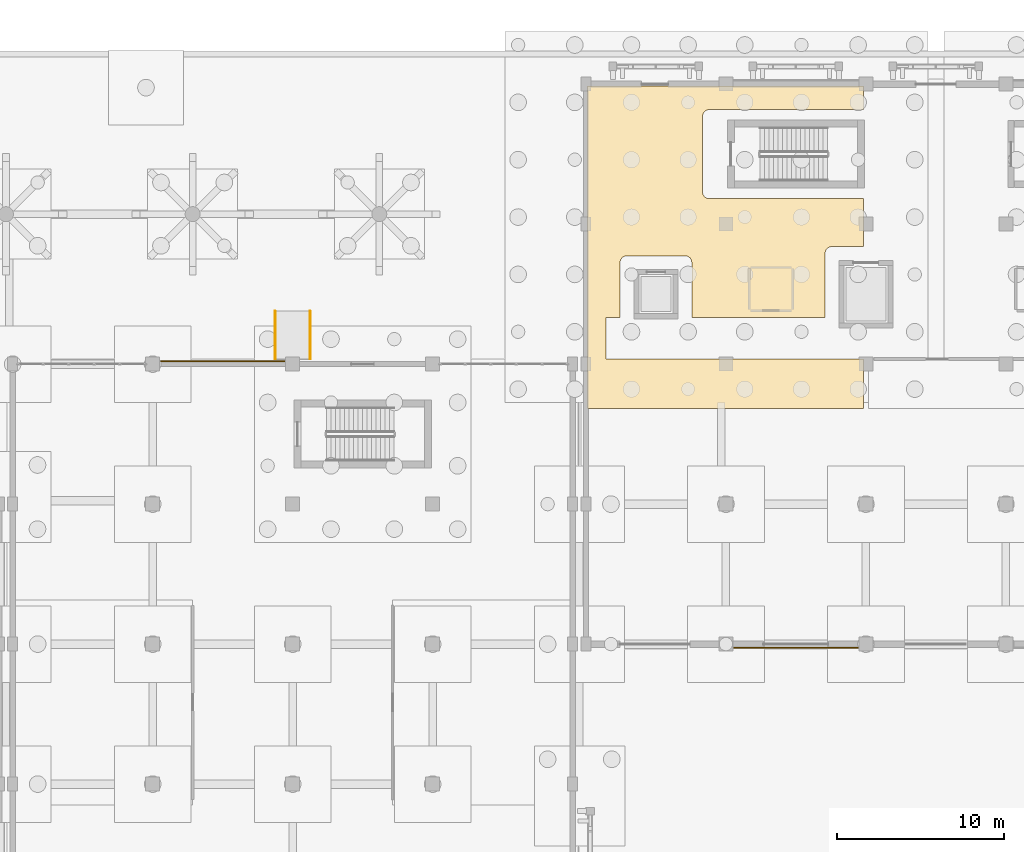
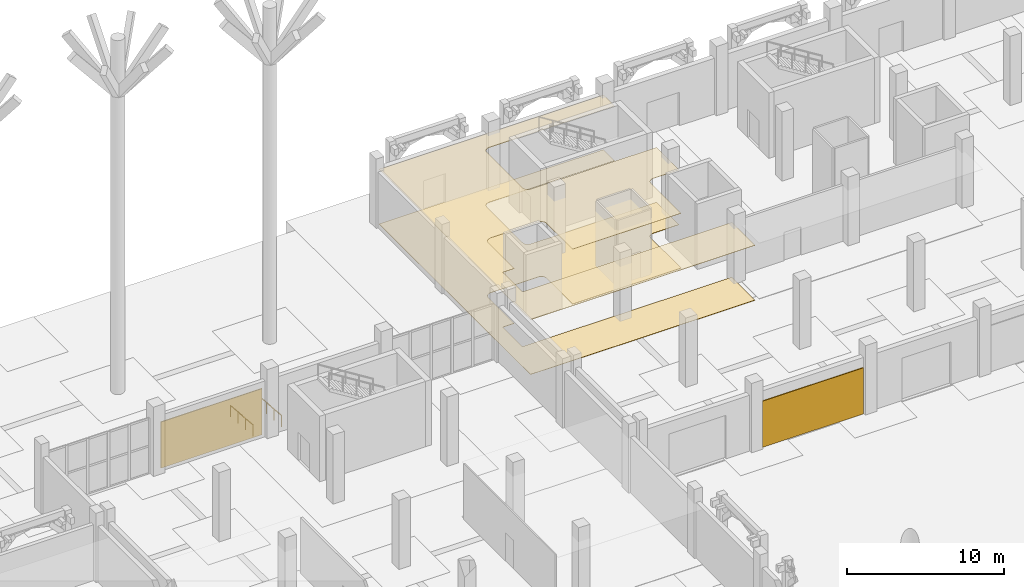
# One storey, part 93 of 98: 4 coverings, 2 railings.
"""IFC4 building model written with IfcOpenShell, lengths in metres."""

from ifc_helpers import new_model, si_unit, direction, frame, origin, origin_2d, place, context, subcontext, project, spatial, polyline, rectangle, circle, outline, extrude, material, layer, layer_set, type_object, element, save


model = new_model("IFC4")

# Units and contexts
model_context = context("Model", 3, precision=1e-05, world=origin(), true_north=direction((0.0, 1.0)))
body_context = subcontext(model_context, "Body", "Model", "MODEL_VIEW")
ifc_project = project(units=[si_unit("LENGTHUNIT", "METRE"), si_unit("AREAUNIT", "SQUARE_METRE"), si_unit("VOLUMEUNIT", "CUBIC_METRE"), si_unit("PLANEANGLEUNIT", "RADIAN"), si_unit("MASSUNIT", "GRAM", prefix="KILO")], contexts=[model_context])

# Site, building, storey
site_placement = place(None, origin())
site = spatial("IfcSite", under=ifc_project, at=site_placement, CompositionType="ELEMENT")
building_placement = place(site_placement, origin())
building = spatial("IfcBuilding", under=site, at=building_placement, Name="Xazarin Passage Department Store", CompositionType="ELEMENT")
storey_placement = place(building_placement, origin())
storey = spatial("IfcBuildingStorey", under=building, at=storey_placement, Name="L00", CompositionType="ELEMENT", Elevation=0.0)

# Coverings
ifc_material_1 = material(Name="Absheron limestone cladding", Category="masonry")
ifc_layer_1 = layer(ifc_material_1, 0.06005859375)
ifc_layer_set_1 = layer_set([ifc_layer_1], Name="Absheron limestone cladding")
covering_type_1 = type_object("IfcCoveringType", Name="ARC-COV-CLD060", PredefinedType="CLADDING", material=ifc_layer_set_1)
for number, where, z_axis, x_axis, name in (
    (1, (80.60009765625, 93.3701171875, 0.0), (0.0, 0.0, 1.0), (1.0, 0.0, 0.0), "L00 Absheron Limestone Plinth Cladding 142"),
    (2, (115.0, 76.179931640625, 0.0), (0.0, 0.0, 1.0), (1.0, 0.0, 0.0), "L00 Absheron Limestone Plinth Cladding 248"),
):
    element("IfcCovering", number, at=place(storey_placement, frame(where, z_axis=z_axis, x_axis=x_axis)), inside=storey, type_object=covering_type_1, Name=name, PredefinedType="CLADDING", context=body_context, shape_type="SweptSolid", body=[
        extrude(rectangle(XDim=7.449951171875, YDim=0.06005859375, at=origin_2d()), origin(), (0.0, 0.0, 1.0), 3.60009765625),
    ])
ifc_material_2 = material(Name="Acoustic mineral ceiling")
ifc_layer_2 = layer(ifc_material_2, 0.030029296875)
ifc_layer_set_2 = layer_set([ifc_layer_2], Name="Acoustic mineral ceiling")
covering_type_2 = type_object("IfcCoveringType", Name="ARC-COV-CLG030", PredefinedType="CEILING", material=ifc_layer_set_2)
covering_1_placement = place(storey_placement, frame((0.0, 0.0, 4.27001953125)))
element("IfcCovering", 3, at=covering_1_placement, inside=storey, type_object=covering_type_2, Name="L00 Goods Receiving Acoustic Ceiling", PredefinedType="CEILING", context=body_context, shape_type="SweptSolid", body=[
    extrude(outline(polyline([(119.050048828125, 103.1298828125), (109.800048828125, 103.1298828125), (109.7607421875, 103.1318359375), (109.721923828125, 103.1376953125), (109.683837890625, 103.147216796875), (109.64697265625, 103.160400390625), (109.611328125, 103.17724609375), (109.577880859375, 103.197509765625), (109.546142578125, 103.220703125), (109.51708984375, 103.247314453125), (109.49072265625, 103.276123046875), (109.46728515625, 103.307861328125), (109.447265625, 103.34130859375), (109.430419921875, 103.376953125), (109.417236328125, 103.413818359375), (109.40771484375, 103.451904296875), (109.40185546875, 103.49072265625), (109.39990234375, 103.530029296875), (109.39990234375, 108.070068359375), (109.40185546875, 108.109130859375), (109.40771484375, 108.14794921875), (109.417236328125, 108.18603515625), (109.430419921875, 108.22314453125), (109.447265625, 108.258544921875), (109.46728515625, 108.292236328125), (109.49072265625, 108.32373046875), (109.51708984375, 108.352783203125), (109.546142578125, 108.379150390625), (109.577880859375, 108.402587890625), (109.611328125, 108.4228515625), (109.64697265625, 108.439697265625), (109.683837890625, 108.452880859375), (109.721923828125, 108.46240234375), (109.7607421875, 108.468017578125), (109.800048828125, 108.469970703125), (119.050048828125, 108.469970703125), (119.050048828125, 109.89990234375), (102.5, 109.89990234375), (102.5, 90.550048828125), (119.050048828125, 90.550048828125), (119.050048828125, 93.5), (103.60009765625, 93.5), (103.60009765625, 96.0), (104.449951171875, 96.0), (104.449951171875, 99.300048828125), (104.451904296875, 99.339111328125), (104.457763671875, 99.3779296875), (104.46728515625, 99.416015625), (104.48046875, 99.453125), (104.497314453125, 99.488525390625), (104.517333984375, 99.522216796875), (104.540771484375, 99.5537109375), (104.567138671875, 99.582763671875), (104.59619140625, 99.609130859375), (104.627685546875, 99.632568359375), (104.661376953125, 99.65283203125), (104.697021484375, 99.669677734375), (104.73388671875, 99.682861328125), (104.77197265625, 99.6923828125), (104.810791015625, 99.697998046875), (104.85009765625, 99.699951171875), (108.35009765625, 99.699951171875), (108.38916015625, 99.697998046875), (108.427978515625, 99.6923828125), (108.466064453125, 99.682861328125), (108.503173828125, 99.669677734375), (108.53857421875, 99.65283203125), (108.572265625, 99.632568359375), (108.603759765625, 99.609130859375), (108.6328125, 99.582763671875), (108.6591796875, 99.5537109375), (108.6826171875, 99.522216796875), (108.702880859375, 99.488525390625), (108.719482421875, 99.453125), (108.73291015625, 99.416015625), (108.7421875, 99.3779296875), (108.748046875, 99.339111328125), (108.75, 99.300048828125), (108.75, 96.0), (116.75, 96.0), (116.75, 99.85009765625), (116.751953125, 99.88916015625), (116.7578125, 99.927978515625), (116.76708984375, 99.966064453125), (116.780517578125, 100.003173828125), (116.797119140625, 100.03857421875), (116.8173828125, 100.072265625), (116.8408203125, 100.103759765625), (116.8671875, 100.1328125), (116.896240234375, 100.1591796875), (116.927734375, 100.1826171875), (116.96142578125, 100.202880859375), (116.996826171875, 100.219482421875), (117.033935546875, 100.23291015625), (117.072021484375, 100.2421875), (117.11083984375, 100.248046875), (117.14990234375, 100.25), (119.050048828125, 100.25), (119.050048828125, 103.1298828125)])), origin(), (0.0, 0.0, 1.0), 0.030029296875),
])
ifc_material_3 = material(Name="Terrazzo stone flooring", Category="masonry")
ifc_layer_3 = layer(ifc_material_3, 0.02490234375)
ifc_layer_set_3 = layer_set([ifc_layer_3], Name="Terrazzo stone flooring")
covering_type_3 = type_object("IfcCoveringType", Name="ARC-COV-FLR025", PredefinedType="FLOORING", material=ifc_layer_set_3)
covering_2_placement = place(storey_placement, origin())
element("IfcCovering", 4, at=covering_2_placement, inside=storey, type_object=covering_type_3, Name="L00 Goods Receiving Terrazzo Flooring", PredefinedType="FLOORING", context=body_context, shape_type="SweptSolid", body=[
    extrude(outline(polyline([(119.050048828125, 103.1298828125), (109.800048828125, 103.1298828125), (109.7607421875, 103.1318359375), (109.721923828125, 103.1376953125), (109.683837890625, 103.147216796875), (109.64697265625, 103.160400390625), (109.611328125, 103.17724609375), (109.577880859375, 103.197509765625), (109.546142578125, 103.220703125), (109.51708984375, 103.247314453125), (109.49072265625, 103.276123046875), (109.46728515625, 103.307861328125), (109.447265625, 103.34130859375), (109.430419921875, 103.376953125), (109.417236328125, 103.413818359375), (109.40771484375, 103.451904296875), (109.40185546875, 103.49072265625), (109.39990234375, 103.530029296875), (109.39990234375, 108.070068359375), (109.40185546875, 108.109130859375), (109.40771484375, 108.14794921875), (109.417236328125, 108.18603515625), (109.430419921875, 108.22314453125), (109.447265625, 108.258544921875), (109.46728515625, 108.292236328125), (109.49072265625, 108.32373046875), (109.51708984375, 108.352783203125), (109.546142578125, 108.379150390625), (109.577880859375, 108.402587890625), (109.611328125, 108.4228515625), (109.64697265625, 108.439697265625), (109.683837890625, 108.452880859375), (109.721923828125, 108.46240234375), (109.7607421875, 108.468017578125), (109.800048828125, 108.469970703125), (119.050048828125, 108.469970703125), (119.050048828125, 109.89990234375), (102.5, 109.89990234375), (102.5, 90.550048828125), (119.050048828125, 90.550048828125), (119.050048828125, 93.5), (103.60009765625, 93.5), (103.60009765625, 96.0), (104.449951171875, 96.0), (104.449951171875, 99.300048828125), (104.451904296875, 99.339111328125), (104.457763671875, 99.3779296875), (104.46728515625, 99.416015625), (104.48046875, 99.453125), (104.497314453125, 99.488525390625), (104.517333984375, 99.522216796875), (104.540771484375, 99.5537109375), (104.567138671875, 99.582763671875), (104.59619140625, 99.609130859375), (104.627685546875, 99.632568359375), (104.661376953125, 99.65283203125), (104.697021484375, 99.669677734375), (104.73388671875, 99.682861328125), (104.77197265625, 99.6923828125), (104.810791015625, 99.697998046875), (104.85009765625, 99.699951171875), (108.35009765625, 99.699951171875), (108.38916015625, 99.697998046875), (108.427978515625, 99.6923828125), (108.466064453125, 99.682861328125), (108.503173828125, 99.669677734375), (108.53857421875, 99.65283203125), (108.572265625, 99.632568359375), (108.603759765625, 99.609130859375), (108.6328125, 99.582763671875), (108.6591796875, 99.5537109375), (108.6826171875, 99.522216796875), (108.702880859375, 99.488525390625), (108.719482421875, 99.453125), (108.73291015625, 99.416015625), (108.7421875, 99.3779296875), (108.748046875, 99.339111328125), (108.75, 99.300048828125), (108.75, 96.0), (116.75, 96.0), (116.75, 99.85009765625), (116.751953125, 99.88916015625), (116.7578125, 99.927978515625), (116.76708984375, 99.966064453125), (116.780517578125, 100.003173828125), (116.797119140625, 100.03857421875), (116.8173828125, 100.072265625), (116.8408203125, 100.103759765625), (116.8671875, 100.1328125), (116.896240234375, 100.1591796875), (116.927734375, 100.1826171875), (116.96142578125, 100.202880859375), (116.996826171875, 100.219482421875), (117.033935546875, 100.23291015625), (117.072021484375, 100.2421875), (117.11083984375, 100.248046875), (117.14990234375, 100.25), (119.050048828125, 100.25), (119.050048828125, 103.1298828125)])), origin(), (0.0, 0.0, 1.0), 0.02490234375),
])

# Railings
ifc_material_4 = material(Name="Steel S355", Category="steel")
railing_type = type_object("IfcRailingType", Name="ARC-RL-HND090", PredefinedType="HANDRAIL", material=ifc_material_4)
for number, where, name in (
    (5, (83.75, 96.3798828125, -0.239990234375), "RMP-03 Left Handrail"),
    (6, (85.85009765625, 96.3798828125, -0.239990234375), "RMP-03 Right Handrail"),
):
    element("IfcRailing", number, at=place(storey_placement, frame(where)), inside=storey, type_object=railing_type, Name=name, PredefinedType="HANDRAIL", context=body_context, shape_type="SweptSolid", body=[
        extrude(circle(Radius=0.02392578125, at=origin_2d()), frame((0.0, 0.0, 0.8759765625), z_axis=(0.0, -0.996545758245, 0.083045479854), x_axis=(1.0, 0.0, 0.0)), (0.0, 0.0, 1.0), 2.889892578125),
        extrude(circle(Radius=0.02099609375, at=origin_2d()), origin(), (0.0, 0.0, 1.0), 0.8515625),
        extrude(circle(Radius=0.02099609375, at=origin_2d()), frame((0.0, -0.9599609375, 0.080078125)), (0.0, 0.0, 1.0), 0.8515625),
        extrude(circle(Radius=0.02099609375, at=origin_2d()), frame((0.0, -1.919921875, 0.159912109375)), (0.0, 0.0, 1.0), 0.8515625),
        extrude(circle(Radius=0.02099609375, at=origin_2d()), frame((0.0, -2.8798828125, 0.239990234375)), (0.0, 0.0, 1.0), 0.8515625),
    ])

save(model, "model.ifc")
